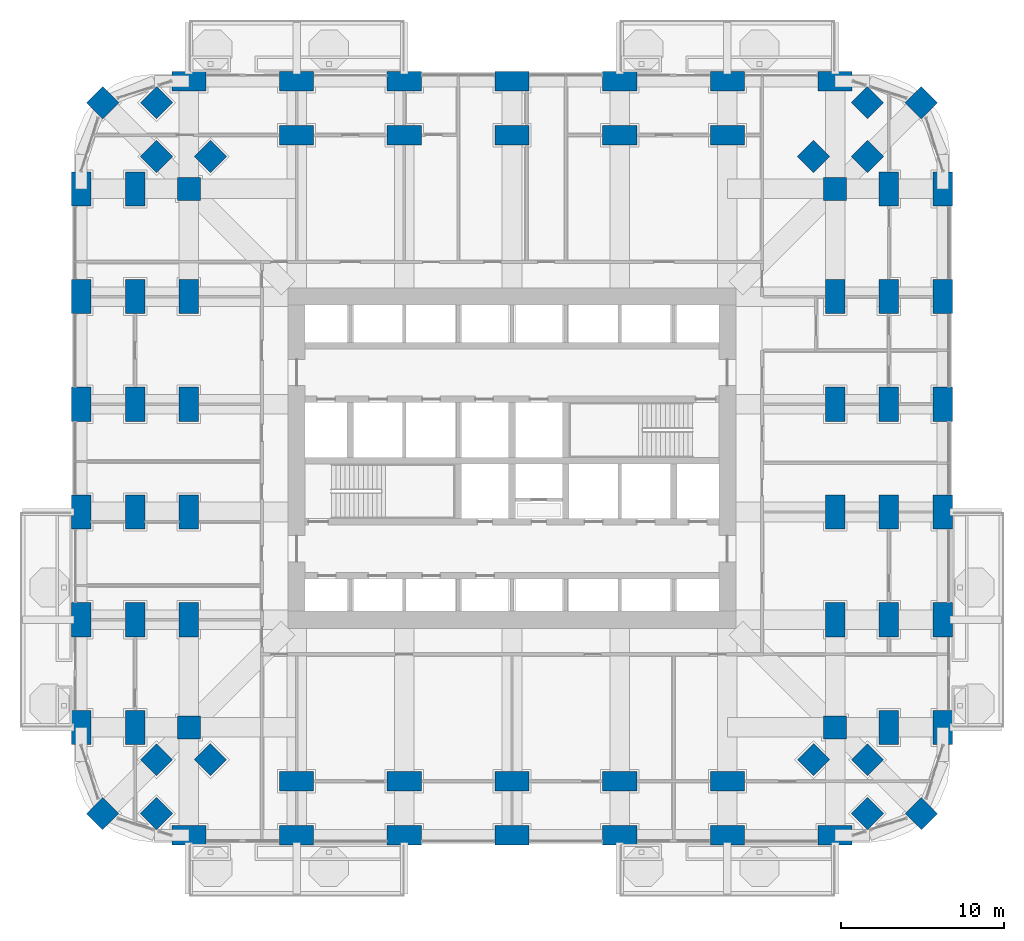
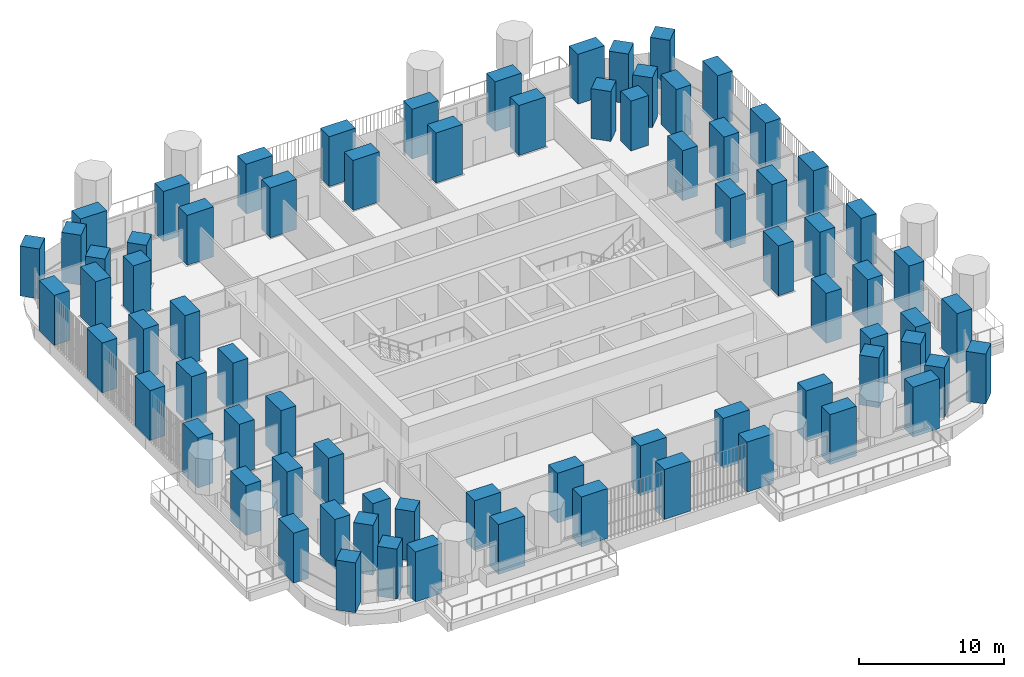
# One storey, part 1 of 27: 76 columns.
"""IFC4 building model written with IfcOpenShell, lengths in metres."""

from ifc_helpers import new_model, si_unit, direction, frame, origin, origin_2d, place, context, subcontext, project, spatial, rectangle, extrude, material, material_profile, profile_set, type_object, element, save


model = new_model("IFC4")

# Units and contexts
model_context = context("Model", 3, precision=1e-05, world=origin(), true_north=direction((0.0, 1.0)))
body_context = subcontext(model_context, "Body", "Model", "MODEL_VIEW")
ifc_project = project(units=[si_unit("LENGTHUNIT", "METRE"), si_unit("AREAUNIT", "SQUARE_METRE"), si_unit("VOLUMEUNIT", "CUBIC_METRE"), si_unit("PLANEANGLEUNIT", "RADIAN"), si_unit("MASSUNIT", "GRAM", prefix="KILO")], contexts=[model_context])

# Site, building, storey
site_placement = place(None, origin())
site = spatial("IfcSite", under=ifc_project, at=site_placement, CompositionType="ELEMENT")
building_placement = place(site_placement, origin())
building = spatial("IfcBuilding", under=site, at=building_placement, Name="Cobogo Forest Laboratory Tower", CompositionType="ELEMENT")
storey_placement = place(building_placement, frame((0.0, 0.0, 29.699951171875)))
storey = spatial("IfcBuildingStorey", under=building, at=storey_placement, Name="L06", CompositionType="ELEMENT", Elevation=29.699951171875)

# Columns
ifc_material = material(Name="Concrete HA-50 (C50/60)", Category="concrete")
ifc_material_profile_1 = material_profile(ifc_material, rectangle(XDim=2.10009765625, YDim=1.199951171875, at=origin_2d()), Name="RC 1200x2100")
ifc_profile_set_1 = profile_set([ifc_material_profile_1], Name="Concrete HA-50 (C50/60)")
column_type_1 = type_object("IfcColumnType", Name="Blade column 1200x2100", PredefinedType="COLUMN", material=ifc_profile_set_1)
for number, where, z_axis, x_axis, name in (
    (1, (6.60009765625, 0.0, 0.0), (0.0, 0.0, 1.0), (1.0, 0.0, 0.0), "Column 2-A L06"),
    (2, (13.199951171875, 0.0, 0.0), (0.0, 0.0, 1.0), (1.0, 0.0, 0.0), "Column 3-A L06"),
    (3, (19.800048828125, 0.0, 0.0), (0.0, 0.0, 1.0), (1.0, 0.0, 0.0), "Column 4-A L06"),
    (4, (26.39990234375, 0.0, 0.0), (0.0, 0.0, 1.0), (1.0, 0.0, 0.0), "Column 5-A L06"),
    (5, (33.0, 0.0, 0.0), (0.0, 0.0, 1.0), (1.0, 0.0, 0.0), "Column 6-A L06"),
    (6, (39.60009765625, 0.0, 0.0), (0.0, 0.0, 1.0), (1.0, 0.0, 0.0), "Column 7-A L06"),
    (7, (46.199951171875, 0.0, 0.0), (0.0, 0.0, 1.0), (1.0, 0.0, 0.0), "Column 8-A L06"),
    (8, (0.0, 6.60009765625, 0.0), (0.0, 0.0, 1.0), (0.0, 1.0, 0.0), "Column 1-B L06"),
    (9, (52.800048828125, 6.60009765625, 0.0), (0.0, 0.0, 1.0), (0.0, 1.0, 0.0), "Column 9-B L06"),
    (10, (0.0, 13.199951171875, 0.0), (0.0, 0.0, 1.0), (0.0, 1.0, 0.0), "Column 1-C L06"),
    (11, (52.800048828125, 13.199951171875, 0.0), (0.0, 0.0, 1.0), (0.0, 1.0, 0.0), "Column 9-C L06"),
    (12, (0.0, 19.800048828125, 0.0), (0.0, 0.0, 1.0), (0.0, 1.0, 0.0), "Column 1-D L06"),
    (13, (52.800048828125, 19.800048828125, 0.0), (0.0, 0.0, 1.0), (0.0, 1.0, 0.0), "Column 9-D L06"),
    (14, (0.0, 26.39990234375, 0.0), (0.0, 0.0, 1.0), (0.0, 1.0, 0.0), "Column 1-E L06"),
    (15, (52.800048828125, 26.39990234375, 0.0), (0.0, 0.0, 1.0), (0.0, 1.0, 0.0), "Column 9-E L06"),
    (16, (0.0, 33.0, 0.0), (0.0, 0.0, 1.0), (0.0, 1.0, 0.0), "Column 1-F L06"),
    (17, (52.800048828125, 33.0, 0.0), (0.0, 0.0, 1.0), (0.0, 1.0, 0.0), "Column 9-F L06"),
    (18, (0.0, 39.60009765625, 0.0), (0.0, 0.0, 1.0), (0.0, 1.0, 0.0), "Column 1-G L06"),
    (19, (52.800048828125, 39.60009765625, 0.0), (0.0, 0.0, 1.0), (0.0, 1.0, 0.0), "Column 9-G L06"),
    (20, (6.60009765625, 46.199951171875, 0.0), (0.0, 0.0, 1.0), (1.0, 0.0, 0.0), "Column 2-H L06"),
    (21, (13.199951171875, 46.199951171875, 0.0), (0.0, 0.0, 1.0), (1.0, 0.0, 0.0), "Column 3-H L06"),
    (22, (19.800048828125, 46.199951171875, 0.0), (0.0, 0.0, 1.0), (1.0, 0.0, 0.0), "Column 4-H L06"),
    (23, (26.39990234375, 46.199951171875, 0.0), (0.0, 0.0, 1.0), (1.0, 0.0, 0.0), "Column 5-H L06"),
    (24, (33.0, 46.199951171875, 0.0), (0.0, 0.0, 1.0), (1.0, 0.0, 0.0), "Column 6-H L06"),
    (25, (39.60009765625, 46.199951171875, 0.0), (0.0, 0.0, 1.0), (1.0, 0.0, 0.0), "Column 7-H L06"),
    (26, (46.199951171875, 46.199951171875, 0.0), (0.0, 0.0, 1.0), (1.0, 0.0, 0.0), "Column 8-H L06"),
    (27, (3.300048828125, 6.60009765625, 0.0), (0.0, 0.0, 1.0), (0.0, 1.0, 0.0), "Column 1.1-B-B L06"),
    (28, (49.5, 6.60009765625, 0.0), (0.0, 0.0, 1.0), (0.0, 1.0, 0.0), "Column 8.1-B-B L06"),
    (29, (3.300048828125, 13.199951171875, 0.0), (0.0, 0.0, 1.0), (0.0, 1.0, 0.0), "Column 1.1-C-B L06"),
    (30, (49.5, 13.199951171875, 0.0), (0.0, 0.0, 1.0), (0.0, 1.0, 0.0), "Column 8.1-C-B L06"),
    (31, (3.300048828125, 19.800048828125, 0.0), (0.0, 0.0, 1.0), (0.0, 1.0, 0.0), "Column 1.1-D-B L06"),
    (32, (49.5, 19.800048828125, 0.0), (0.0, 0.0, 1.0), (0.0, 1.0, 0.0), "Column 8.1-D-B L06"),
    (33, (3.300048828125, 26.39990234375, 0.0), (0.0, 0.0, 1.0), (0.0, 1.0, 0.0), "Column 1.1-E-B L06"),
    (34, (49.5, 26.39990234375, 0.0), (0.0, 0.0, 1.0), (0.0, 1.0, 0.0), "Column 8.1-E-B L06"),
    (35, (3.300048828125, 33.0, 0.0), (0.0, 0.0, 1.0), (0.0, 1.0, 0.0), "Column 1.1-F-B L06"),
    (36, (49.5, 33.0, 0.0), (0.0, 0.0, 1.0), (0.0, 1.0, 0.0), "Column 8.1-F-B L06"),
    (37, (3.300048828125, 39.60009765625, 0.0), (0.0, 0.0, 1.0), (0.0, 1.0, 0.0), "Column 1.1-G-B L06"),
    (38, (49.5, 39.60009765625, 0.0), (0.0, 0.0, 1.0), (0.0, 1.0, 0.0), "Column 8.1-G-B L06"),
    (39, (13.199951171875, 3.300048828125, 0.0), (0.0, 0.0, 1.0), (1.0, 0.0, 0.0), "Column 3-A.1-C L06"),
    (40, (19.800048828125, 3.300048828125, 0.0), (0.0, 0.0, 1.0), (1.0, 0.0, 0.0), "Column 4-A.1-C L06"),
    (41, (26.39990234375, 3.300048828125, 0.0), (0.0, 0.0, 1.0), (1.0, 0.0, 0.0), "Column 5-A.1-C L06"),
    (42, (33.0, 3.300048828125, 0.0), (0.0, 0.0, 1.0), (1.0, 0.0, 0.0), "Column 6-A.1-C L06"),
    (43, (39.60009765625, 3.300048828125, 0.0), (0.0, 0.0, 1.0), (1.0, 0.0, 0.0), "Column 7-A.1-C L06"),
    (44, (13.199951171875, 42.89990234375, 0.0), (0.0, 0.0, 1.0), (1.0, 0.0, 0.0), "Column 3-G.1-C L06"),
    (45, (19.800048828125, 42.89990234375, 0.0), (0.0, 0.0, 1.0), (1.0, 0.0, 0.0), "Column 4-G.1-C L06"),
    (46, (26.39990234375, 42.89990234375, 0.0), (0.0, 0.0, 1.0), (1.0, 0.0, 0.0), "Column 5-G.1-C L06"),
    (47, (33.0, 42.89990234375, 0.0), (0.0, 0.0, 1.0), (1.0, 0.0, 0.0), "Column 6-G.1-C L06"),
    (48, (39.60009765625, 42.89990234375, 0.0), (0.0, 0.0, 1.0), (1.0, 0.0, 0.0), "Column 7-G.1-C L06"),
    (49, (6.60009765625, 13.199951171875, 0.0), (0.0, 0.0, 1.0), (0.0, 1.0, 0.0), "Column 2-C-D L06"),
    (50, (46.199951171875, 13.199951171875, 0.0), (0.0, 0.0, 1.0), (0.0, 1.0, 0.0), "Column 8-C-D L06"),
    (51, (6.60009765625, 19.800048828125, 0.0), (0.0, 0.0, 1.0), (0.0, 1.0, 0.0), "Column 2-D-D L06"),
    (52, (46.199951171875, 19.800048828125, 0.0), (0.0, 0.0, 1.0), (0.0, 1.0, 0.0), "Column 8-D-D L06"),
    (53, (6.60009765625, 26.39990234375, 0.0), (0.0, 0.0, 1.0), (0.0, 1.0, 0.0), "Column 2-E-D L06"),
    (54, (46.199951171875, 26.39990234375, 0.0), (0.0, 0.0, 1.0), (0.0, 1.0, 0.0), "Column 8-E-D L06"),
    (55, (6.60009765625, 33.0, 0.0), (0.0, 0.0, 1.0), (0.0, 1.0, 0.0), "Column 2-F-D L06"),
    (56, (46.199951171875, 33.0, 0.0), (0.0, 0.0, 1.0), (0.0, 1.0, 0.0), "Column 8-F-D L06"),
):
    element("IfcColumn", number, at=place(storey_placement, frame(where, z_axis=z_axis, x_axis=x_axis)), inside=storey, type_object=column_type_1, Name=name, PredefinedType="COLUMN", context=body_context, shape_type="SweptSolid", body=[
        extrude(rectangle(XDim=2.10009765625, YDim=1.199951171875, at=origin_2d()), origin(), (0.0, 0.0, 1.0), 4.199951171875),
    ])
ifc_material_profile_2 = material_profile(ifc_material, rectangle(XDim=1.39990234375, YDim=1.39990234375, at=origin_2d()), Name="RC 1400x1400")
ifc_profile_set_2 = profile_set([ifc_material_profile_2], Name="Concrete HA-50 (C50/60)")
column_type_2 = type_object("IfcColumnType", Name="Column 1400x1400", PredefinedType="COLUMN", material=ifc_profile_set_2)
for number, where, z_axis, x_axis, name in (
    (57, (1.318115234375, 1.318115234375, 0.0), (0.0, 0.0, 1.0), (0.707106781187, 0.707106781187, 0.0), "Column CNR-SW L06"),
    (58, (51.48193359375, 1.318115234375, 0.0), (0.0, 0.0, 1.0), (0.707106781187, 0.707106781187, 0.0), "Column CNR-SE L06"),
    (59, (1.318115234375, 44.882080078125, 0.0), (0.0, 0.0, 1.0), (0.707106781187, 0.707106781187, 0.0), "Column CNR-NW L06"),
    (60, (51.48193359375, 44.882080078125, 0.0), (0.0, 0.0, 1.0), (0.707106781187, 0.707106781187, 0.0), "Column CNR-NE L06"),
    (61, (6.60009765625, 6.60009765625, 0.0), (0.0, 0.0, 1.0), (1.0, 0.0, 0.0), "Column 2-B L06"),
    (62, (46.199951171875, 6.60009765625, 0.0), (0.0, 0.0, 1.0), (1.0, 0.0, 0.0), "Column 8-B L06"),
    (63, (6.60009765625, 39.60009765625, 0.0), (0.0, 0.0, 1.0), (1.0, 0.0, 0.0), "Column 2-G L06"),
    (64, (46.199951171875, 39.60009765625, 0.0), (0.0, 0.0, 1.0), (1.0, 0.0, 0.0), "Column 8-G L06"),
    (65, (4.617919921875, 1.318115234375, 0.0), (0.0, 0.0, 1.0), (0.707106781187, 0.707106781187, 0.0), "Column CNR-SW-B L06"),
    (66, (48.181884765625, 1.318115234375, 0.0), (0.0, 0.0, 1.0), (0.707106781187, 0.707106781187, 0.0), "Column CNR-SE-B L06"),
    (67, (4.617919921875, 44.882080078125, 0.0), (0.0, 0.0, 1.0), (0.707106781187, 0.707106781187, 0.0), "Column CNR-NW-B L06"),
    (68, (48.181884765625, 44.882080078125, 0.0), (0.0, 0.0, 1.0), (0.707106781187, 0.707106781187, 0.0), "Column CNR-NE-B L06"),
    (69, (4.617919921875, 4.617919921875, 0.0), (0.0, 0.0, 1.0), (0.707106781187, 0.707106781187, 0.0), "Column CNR-SW-C L06"),
    (70, (48.181884765625, 4.617919921875, 0.0), (0.0, 0.0, 1.0), (0.707106781187, 0.707106781187, 0.0), "Column CNR-SE-C L06"),
    (71, (4.617919921875, 41.58203125, 0.0), (0.0, 0.0, 1.0), (0.707106781187, 0.707106781187, 0.0), "Column CNR-NW-C L06"),
    (72, (48.181884765625, 41.58203125, 0.0), (0.0, 0.0, 1.0), (0.707106781187, 0.707106781187, 0.0), "Column CNR-NE-C L06"),
    (73, (7.91796875, 4.617919921875, 0.0), (0.0, 0.0, 1.0), (0.707106781187, 0.707106781187, 0.0), "Column CNR-SW-D L06"),
    (74, (44.882080078125, 4.617919921875, 0.0), (0.0, 0.0, 1.0), (0.707106781187, 0.707106781187, 0.0), "Column CNR-SE-D L06"),
    (75, (7.91796875, 41.58203125, 0.0), (0.0, 0.0, 1.0), (0.707106781187, 0.707106781187, 0.0), "Column CNR-NW-D L06"),
    (76, (44.882080078125, 41.58203125, 0.0), (0.0, 0.0, 1.0), (0.707106781187, 0.707106781187, 0.0), "Column CNR-NE-D L06"),
):
    element("IfcColumn", number, at=place(storey_placement, frame(where, z_axis=z_axis, x_axis=x_axis)), inside=storey, type_object=column_type_2, Name=name, PredefinedType="COLUMN", context=body_context, shape_type="SweptSolid", body=[
        extrude(rectangle(XDim=1.39990234375, YDim=1.39990234375, at=origin_2d()), origin(), (0.0, 0.0, 1.0), 4.199951171875),
    ])

save(model, "model.ifc")
